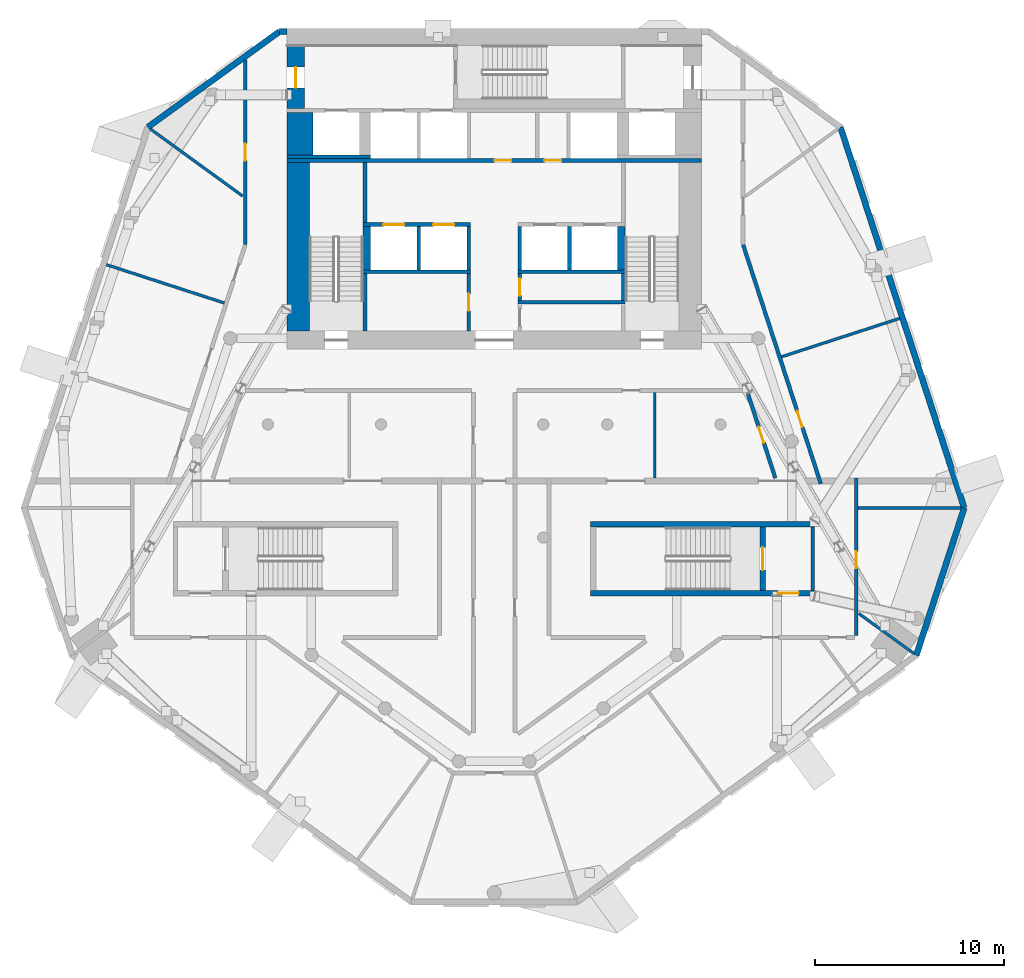
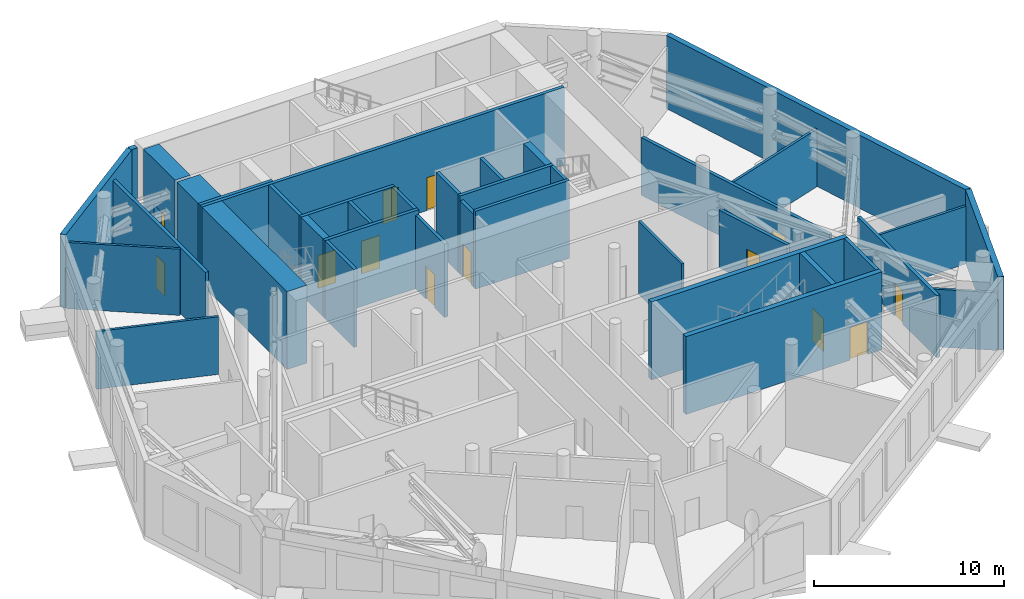
# One storey, part 10 of 17: 38 walls, 13 doors, 13 openings.
"""IFC4 building model written with IfcOpenShell, lengths in metres."""

from ifc_helpers import new_model, si_unit, direction, frame, frame_2d, origin, place, context, subcontext, project, spatial, rectangle, extrude, material, layer, layer_set, type_object, element, fill, save


model = new_model("IFC4")

# Units and contexts
model_context = context("Model", 3, precision=1e-05, world=origin(), true_north=direction((0.0, 1.0)))
body_context = subcontext(model_context, "Body", "Model", "MODEL_VIEW")
ifc_project = project(units=[si_unit("LENGTHUNIT", "METRE"), si_unit("AREAUNIT", "SQUARE_METRE"), si_unit("VOLUMEUNIT", "CUBIC_METRE"), si_unit("PLANEANGLEUNIT", "RADIAN"), si_unit("MASSUNIT", "GRAM", prefix="KILO")], contexts=[model_context])

# Site, building, storey
site_placement = place(None, origin())
site = spatial("IfcSite", under=ifc_project, at=site_placement, CompositionType="ELEMENT")
building_placement = place(site_placement, origin())
building = spatial("IfcBuilding", under=site, at=building_placement, Name="White Candle Pilgrim Tower", CompositionType="ELEMENT")
storey_placement = place(building_placement, frame((0.0, 0.0, 191.5)))
storey = spatial("IfcBuildingStorey", under=building, at=storey_placement, Name="L44", CompositionType="ELEMENT", Elevation=191.5)

# Walls
ifc_material_1 = material(Name="Concrete C60/75", Category="concrete")
ifc_layer_1 = layer(ifc_material_1, 1.39990234375)
ifc_layer_set_1 = layer_set([ifc_layer_1], Name="Core wall 1400 mm Concrete C60/75")
wall_type_1 = type_object("IfcWallType", Name="Core wall 1400 mm Concrete C60/75", PredefinedType="SHEAR", material=ifc_layer_set_1)
wall_1_placement = place(storey_placement, frame((59.699951171875, 81.300048828125, 0.0), z_axis=(0.0, 0.0, 1.0), x_axis=(0.0, 1.0, 0.0)))
element("IfcWall", 1, at=wall_1_placement, inside=storey, type_object=wall_type_1, Name="WL-L44-C40", PredefinedType="SHEAR", context=body_context, shape_type="SweptSolid", body=[
    extrude(rectangle(XDim=2.25, YDim=1.39990234375, at=frame_2d((1.125, 0.0))), origin(), (0.0, 0.0, 1.0), 5.0),
])
ifc_layer_2 = layer(ifc_material_1, 0.199951171875)
ifc_layer_set_2 = layer_set([ifc_layer_2], Name="Core wall 200 mm Concrete C60/75")
wall_type_2 = type_object("IfcWallType", Name="Core wall 200 mm Concrete C60/75", PredefinedType="SHEAR", material=ifc_layer_set_2)
wall_2_placement = place(storey_placement, frame((86.89990234375, 58.199951171875, 0.0), z_axis=(0.0, 0.0, 1.0), x_axis=(0.0, 1.0, 0.0)))
element("IfcWall", 2, at=wall_2_placement, inside=storey, type_object=wall_type_2, Name="WL-L44-C08", PredefinedType="SHEAR", context=body_context, shape_type="SweptSolid", body=[
    extrude(rectangle(XDim=3.35009765625, YDim=0.199951171875, at=frame_2d((1.675048828125, 0.0))), origin(), (0.0, 0.0, 1.0), 5.0),
])
wall_3_placement = place(storey_placement, frame((59.0, 81.199951171875, 0.0), z_axis=(0.0, 0.0, 1.0), x_axis=(1.0, 0.0, 0.0)))
element("IfcWall", 3, at=wall_3_placement, inside=storey, type_object=wall_type_2, Name="WL-L44-C34", PredefinedType="SHEAR", context=body_context, shape_type="SweptSolid", body=[
    extrude(rectangle(XDim=4.449951171875, YDim=0.199951171875, at=frame_2d((2.22509765625, 0.0))), origin(), (0.0, 0.0, 1.0), 5.0),
])

# Wall, opening, door
ifc_layer_3 = layer(ifc_material_1, 0.949951171875)
ifc_layer_set_3 = layer_set([ifc_layer_3], Name="Core wall 950 mm Concrete C60/75")
wall_type_3 = type_object("IfcWallType", Name="Core wall 950 mm Concrete C60/75", PredefinedType="SHEAR", material=ifc_layer_set_3)
wall_4_placement = place(storey_placement, frame((59.47509765625, 83.75, 0.0), z_axis=(0.0, 0.0, 1.0), x_axis=(0.0, 1.0, 0.0)))
wall_4 = element("IfcWall", 4, at=wall_4_placement, inside=storey, type_object=wall_type_3, Name="WL-L44-C45", PredefinedType="SHEAR", context=body_context, shape_type="SweptSolid", body=[
    extrude(rectangle(XDim=3.300048828125, YDim=0.949951171875, at=frame_2d((1.64990234375, 0.0))), origin(), (0.0, 0.0, 1.0), 5.0),
])
opening_1_placement = place(wall_4_placement, frame((1.10009765625, 0.0, 0.0)))
opening_1 = element("IfcOpeningElement", 5, at=opening_1_placement, cuts=wall_4, Name="Opening L44-008", PredefinedType="OPENING", context=body_context, shape_type="SweptSolid", body=[
    extrude(rectangle(XDim=1.10009765625, YDim=2.10009765625, at=frame_2d((0.550048828125, 1.050048828125))), frame((0.0, 0.48486328125, 0.0), z_axis=(0.0, -1.0, 0.0), x_axis=(1.0, 0.0, 0.0)), (0.0, 0.0, 1.0), 0.969970703125),
])
ifc_material_2 = material(Name="Steel door leaf", Category="steel")
door_type_1 = type_object("IfcDoorType", Name="Fire door 1100 x 2100 EI 60", OperationType="NOTDEFINED", PredefinedType="DOOR", material=ifc_material_2)
door_1_placement = place(opening_1_placement, origin())
door_1 = element("IfcDoor", 6, at=door_1_placement, inside=storey, type_object=door_type_1, Name="Door L44-008", OperationType="SINGLE_SWING_RIGHT", OverallHeight=2.10009765625, OverallWidth=1.10009765625, PredefinedType="DOOR", context=body_context, shape_type="SweptSolid", body=[
    extrude(rectangle(XDim=1.10009765625, YDim=2.10009765625, at=frame_2d((0.550048828125, 1.050048828125))), frame((0.0, 0.02490234375, 0.0), z_axis=(0.0, -1.0, 0.0), x_axis=(1.0, 0.0, 0.0)), (0.0, 0.0, 1.0), 0.050048828125),
])
fill(opening_1, door_1)

ifc_material_3 = material(Name="Gypsum board on steel studs", Category="steel")
ifc_layer_4 = layer(ifc_material_3, 0.199951171875)
ifc_layer_set_4 = layer_set([ifc_layer_4], Name="Corridor wall 200 mm EI 45")
wall_type_4 = type_object("IfcWallType", Name="Corridor wall 200 mm EI 45", PredefinedType="PARTITIONING", material=ifc_layer_set_4)
wall_5_placement = place(storey_placement, frame((56.800048828125, 76.552978515625, 0.0), z_axis=(0.0, 0.0, 1.0), x_axis=(0.0, 1.0, 0.0)))
wall_5 = element("IfcWall", 7, at=wall_5_placement, inside=storey, type_object=wall_type_4, Name="WL-L44-P003", PredefinedType="PARTITIONING", context=body_context, shape_type="SweptSolid", body=[
    extrude(rectangle(XDim=9.7705078125, YDim=0.199951171875, at=frame_2d((4.88525390625, 0.0))), origin(), (0.0, 0.0, 1.0), 4.25),
])
opening_2_placement = place(wall_5_placement, frame((4.435302734375, 0.0, 0.0)))
opening_2 = element("IfcOpeningElement", 8, at=opening_2_placement, cuts=wall_5, Name="Opening L44-120", PredefinedType="OPENING", context=body_context, shape_type="SweptSolid", body=[
    extrude(rectangle(XDim=0.89990234375, YDim=2.10009765625, at=frame_2d((0.449951171875, 1.050048828125))), frame((0.0, 0.10986328125, 0.0), z_axis=(0.0, -1.0, 0.0), x_axis=(1.0, 0.0, 0.0)), (0.0, 0.0, 1.0), 0.219970703125),
])
door_type_2 = type_object("IfcDoorType", Name="Fire door 900 x 2100 EI 30", OperationType="NOTDEFINED", PredefinedType="DOOR", material=ifc_material_2)
door_2_placement = place(opening_2_placement, origin())
door_2 = element("IfcDoor", 9, at=door_2_placement, inside=storey, type_object=door_type_2, Name="Door L44-120", OperationType="SINGLE_SWING_RIGHT", OverallHeight=2.10009765625, OverallWidth=0.89990234375, PredefinedType="DOOR", context=body_context, shape_type="SweptSolid", body=[
    extrude(rectangle(XDim=0.89990234375, YDim=2.10009765625, at=frame_2d((0.449951171875, 1.050048828125))), frame((0.0, 0.02490234375, 0.0), z_axis=(0.0, -1.0, 0.0), x_axis=(1.0, 0.0, 0.0)), (0.0, 0.0, 1.0), 0.050048828125),
])
fill(opening_2, door_2)

wall_6_placement = place(storey_placement, frame((83.204833984375, 76.52197265625, 0.0), z_axis=(0.0, 0.0, 1.0), x_axis=(0.309023094896, -0.951054534094, 0.0)))
wall_6 = element("IfcWall", 10, at=wall_6_placement, inside=storey, type_object=wall_type_4, Name="WL-L44-P005", PredefinedType="PARTITIONING", context=body_context, shape_type="SweptSolid", body=[
    extrude(rectangle(XDim=13.323974609375, YDim=0.199951171875, at=frame_2d((6.662109375, 0.0))), origin(), (0.0, 0.0, 1.0), 3.699951171875),
])
opening_3_placement = place(wall_6_placement, frame((9.258056640625, 0.0, 0.0)))
opening_3 = element("IfcOpeningElement", 11, at=opening_3_placement, cuts=wall_6, Name="Opening L44-123", PredefinedType="OPENING", context=body_context, shape_type="SweptSolid", body=[
    extrude(rectangle(XDim=0.89990234375, YDim=2.10009765625, at=frame_2d((0.449951171875, 1.050048828125))), frame((0.0, 0.10986328125, 0.0), z_axis=(0.0, -1.0, 0.0), x_axis=(1.0, 0.0, 0.0)), (0.0, 0.0, 1.0), 0.219970703125),
])
door_3_placement = place(opening_3_placement, origin())
door_3 = element("IfcDoor", 12, at=door_3_placement, inside=storey, type_object=door_type_2, Name="Door L44-123", OperationType="SINGLE_SWING_LEFT", OverallHeight=2.10009765625, OverallWidth=0.89990234375, PredefinedType="DOOR", context=body_context, shape_type="SweptSolid", body=[
    extrude(rectangle(XDim=0.89990234375, YDim=2.10009765625, at=frame_2d((0.449951171875, 1.050048828125))), frame((0.0, 0.02490234375, 0.0), z_axis=(0.0, -1.0, 0.0), x_axis=(1.0, 0.0, 0.0)), (0.0, 0.0, 1.0), 0.050048828125),
])
fill(opening_3, door_3)

wall_7_placement = place(storey_placement, frame((89.199951171875, 64.14990234375, 0.0), z_axis=(0.0, 0.0, 1.0), x_axis=(0.0, -1.0, 0.0)))
wall_7 = element("IfcWall", 13, at=wall_7_placement, inside=storey, type_object=wall_type_4, Name="WL-L44-P006", PredefinedType="PARTITIONING", context=body_context, shape_type="SweptSolid", body=[
    extrude(rectangle(XDim=8.349853515625, YDim=0.199951171875, at=frame_2d((4.1748046875, 0.0))), origin(), (0.0, 0.0, 1.0), 4.0),
])
opening_4_placement = place(wall_7_placement, frame((3.8759765625, 0.0, 0.0)))
opening_4 = element("IfcOpeningElement", 14, at=opening_4_placement, cuts=wall_7, Name="Opening L44-109", PredefinedType="OPENING", context=body_context, shape_type="SweptSolid", body=[
    extrude(rectangle(XDim=0.89990234375, YDim=2.10009765625, at=frame_2d((0.449951171875, 1.050048828125))), frame((0.0, 0.10986328125, 0.0), z_axis=(0.0, -1.0, 0.0), x_axis=(1.0, 0.0, 0.0)), (0.0, 0.0, 1.0), 0.219970703125),
])
door_4_placement = place(opening_4_placement, origin())
door_4 = element("IfcDoor", 15, at=door_4_placement, inside=storey, type_object=door_type_2, Name="Door L44-109", OperationType="SINGLE_SWING_LEFT", OverallHeight=2.10009765625, OverallWidth=0.89990234375, PredefinedType="DOOR", context=body_context, shape_type="SweptSolid", body=[
    extrude(rectangle(XDim=0.89990234375, YDim=2.10009765625, at=frame_2d((0.449951171875, 1.050048828125))), frame((0.0, 0.02490234375, 0.0), z_axis=(0.0, -1.0, 0.0), x_axis=(1.0, 0.0, 0.0)), (0.0, 0.0, 1.0), 0.050048828125),
])
fill(opening_4, door_4)

wall_8_placement = place(storey_placement, frame((84.91162109375, 64.14990234375, 0.0), z_axis=(0.0, 0.0, 1.0), x_axis=(-0.309026476021, 0.951053435469, 0.0)))
wall_8 = element("IfcWall", 16, at=wall_8_placement, inside=storey, type_object=wall_type_4, Name="WL-L44-P013", PredefinedType="PARTITIONING", context=body_context, shape_type="SweptSolid", body=[
    extrude(rectangle(XDim=4.81689453125, YDim=0.199951171875, at=frame_2d((2.408447265625, 0.0))), origin(), (0.0, 0.0, 1.0), 3.699951171875),
])
opening_5_placement = place(wall_8_placement, frame((1.958251953125, 0.0, 0.0)))
opening_5 = element("IfcOpeningElement", 17, at=opening_5_placement, cuts=wall_8, Name="Opening L44-124", PredefinedType="OPENING", context=body_context, shape_type="SweptSolid", body=[
    extrude(rectangle(XDim=0.89990234375, YDim=2.10009765625, at=frame_2d((0.449951171875, 1.050048828125))), frame((0.0, 0.10986328125, 0.0), z_axis=(0.0, -1.0, 0.0), x_axis=(1.0, 0.0, 0.0)), (0.0, 0.0, 1.0), 0.219970703125),
])
door_5_placement = place(opening_5_placement, origin())
door_5 = element("IfcDoor", 18, at=door_5_placement, inside=storey, type_object=door_type_2, Name="Door L44-124", OperationType="SINGLE_SWING_RIGHT", OverallHeight=2.10009765625, OverallWidth=0.89990234375, PredefinedType="DOOR", context=body_context, shape_type="SweptSolid", body=[
    extrude(rectangle(XDim=0.89990234375, YDim=2.10009765625, at=frame_2d((0.449951171875, 1.050048828125))), frame((0.0, 0.02490234375, 0.0), z_axis=(0.0, -1.0, 0.0), x_axis=(1.0, 0.0, 0.0)), (0.0, 0.0, 1.0), 0.050048828125),
])
fill(opening_5, door_5)

# Walls
ifc_material_4 = material(Name="Precast concrete C40/50", Category="concrete")
ifc_layer_5 = layer(ifc_material_4, 0.320068359375)
ifc_layer_set_5 = layer_set([ifc_layer_5], Name="Facade wall EW2 precast concrete C40/50 plant wall behind louvres")
wall_type_5 = type_object("IfcWallType", Name="Facade wall EW2 precast concrete C40/50 plant wall behind louvres", PredefinedType="SOLIDWALL", material=ifc_layer_set_5)
wall_9_placement = place(storey_placement, frame((92.388427734375, 54.7568359375, 0.0), z_axis=(0.0, 0.0, 1.0), x_axis=(0.30901958848, 0.951055673415, 0.0)))
element("IfcWall", 19, at=wall_9_placement, inside=storey, type_object=wall_type_5, Name="Facade wall L44 E chamfer", PredefinedType="SOLIDWALL", context=body_context, shape_type="SweptSolid", body=[
    extrude(rectangle(XDim=8.220458984375, YDim=0.320068359375, at=frame_2d((4.1103515625, 0.0))), origin(), (0.0, 0.0, 1.0), 4.699951171875),
])
wall_10_placement = place(storey_placement, frame((94.9287109375, 62.574951171875, 0.0), z_axis=(0.0, 0.0, 1.0), x_axis=(-0.309022366866, 0.95105477065, 0.0)))
element("IfcWall", 20, at=wall_10_placement, inside=storey, type_object=wall_type_5, Name="Facade wall L44 ENE", PredefinedType="SOLIDWALL", context=body_context, shape_type="SweptSolid", body=[
    extrude(rectangle(XDim=21.230712890625, YDim=0.320068359375, at=frame_2d((10.615234375, 0.0))), origin(), (0.0, 0.0, 1.0), 4.699951171875),
])
wall_11_placement = place(storey_placement, frame((59.0, 87.840087890625, 0.0), z_axis=(0.0, 0.0, 1.0), x_axis=(-1.0, 0.0, 0.0)))
element("IfcWall", 21, at=wall_11_placement, inside=storey, type_object=wall_type_5, Name="Facade wall L44 N", PredefinedType="SOLIDWALL", context=body_context, shape_type="SweptSolid", body=[
    extrude(rectangle(XDim=0.385009765625, YDim=0.320068359375, at=frame_2d((0.1923828125, 0.0))), origin(), (0.0, 0.0, 1.0), 4.699951171875),
])
wall_12_placement = place(storey_placement, frame((58.614990234375, 87.840087890625, 0.0), z_axis=(0.0, 0.0, 1.0), x_axis=(-0.809011202415, -0.587793224159, 0.0)))
element("IfcWall", 22, at=wall_12_placement, inside=storey, type_object=wall_type_5, Name="Facade wall L44 NW chamfer", PredefinedType="SOLIDWALL", context=body_context, shape_type="SweptSolid", body=[
    extrude(rectangle(XDim=8.63134765625, YDim=0.320068359375, at=frame_2d((4.315673828125, 0.0))), origin(), (0.0, 0.0, 1.0), 4.699951171875),
])

# Wall, opening, door
ifc_layer_6 = layer(ifc_material_3, 0.199951171875)
ifc_layer_set_6 = layer_set([ifc_layer_6], Name="Lobby wall 200 mm EI 60")
wall_type_6 = type_object("IfcWallType", Name="Lobby wall 200 mm EI 60", PredefinedType="PARTITIONING", material=ifc_layer_set_6)
wall_13_placement = place(storey_placement, frame((68.64990234375, 71.949951171875, 0.0), z_axis=(0.0, 0.0, 1.0), x_axis=(0.0, 1.0, 0.0)))
wall_13 = element("IfcWall", 23, at=wall_13_placement, inside=storey, type_object=wall_type_6, Name="WL-L44-C14", PredefinedType="PARTITIONING", context=body_context, shape_type="SweptSolid", body=[
    extrude(rectangle(XDim=3.050048828125, YDim=0.199951171875, at=frame_2d((1.52490234375, 0.0))), origin(), (0.0, 0.0, 1.0), 4.699951171875),
])
opening_6_placement = place(wall_13_placement, frame((1.074951171875, 0.0, 0.0)))
opening_6 = element("IfcOpeningElement", 24, at=opening_6_placement, cuts=wall_13, Name="Opening L44-005", PredefinedType="OPENING", context=body_context, shape_type="SweptSolid", body=[
    extrude(rectangle(XDim=0.89990234375, YDim=2.10009765625, at=frame_2d((0.449951171875, 1.050048828125))), frame((0.0, 0.10986328125, 0.0), z_axis=(0.0, -1.0, 0.0), x_axis=(1.0, 0.0, 0.0)), (0.0, 0.0, 1.0), 0.219970703125),
])
door_6_placement = place(opening_6_placement, origin())
door_6 = element("IfcDoor", 25, at=door_6_placement, inside=storey, type_object=door_type_2, Name="Door L44-005", OperationType="SINGLE_SWING_LEFT", OverallHeight=2.10009765625, OverallWidth=0.89990234375, PredefinedType="DOOR", context=body_context, shape_type="SweptSolid", body=[
    extrude(rectangle(XDim=0.89990234375, YDim=2.10009765625, at=frame_2d((0.449951171875, 1.050048828125))), frame((0.0, 0.02490234375, 0.0), z_axis=(0.0, -1.0, 0.0), x_axis=(1.0, 0.0, 0.0)), (0.0, 0.0, 1.0), 0.050048828125),
])
fill(opening_6, door_6)

wall_14_placement = place(storey_placement, frame((71.35009765625, 73.574951171875, 0.0), z_axis=(0.0, 0.0, 1.0), x_axis=(0.0, 1.0, 0.0)))
wall_14 = element("IfcWall", 26, at=wall_14_placement, inside=storey, type_object=wall_type_6, Name="WL-L44-C19", PredefinedType="PARTITIONING", context=body_context, shape_type="SweptSolid", body=[
    extrude(rectangle(XDim=1.425048828125, YDim=0.199951171875, at=frame_2d((0.71240234375, 0.0))), origin(), (0.0, 0.0, 1.0), 4.699951171875),
])
opening_7_placement = place(wall_14_placement, frame((0.262451171875, 0.0, 0.0)))
opening_7 = element("IfcOpeningElement", 27, at=opening_7_placement, cuts=wall_14, Name="Opening L44-007", PredefinedType="OPENING", context=body_context, shape_type="SweptSolid", body=[
    extrude(rectangle(XDim=0.89990234375, YDim=2.10009765625, at=frame_2d((0.449951171875, 1.050048828125))), frame((0.0, 0.10986328125, 0.0), z_axis=(0.0, -1.0, 0.0), x_axis=(1.0, 0.0, 0.0)), (0.0, 0.0, 1.0), 0.219970703125),
])
door_7_placement = place(opening_7_placement, origin())
door_7 = element("IfcDoor", 28, at=door_7_placement, inside=storey, type_object=door_type_2, Name="Door L44-007", OperationType="SINGLE_SWING_LEFT", OverallHeight=2.10009765625, OverallWidth=0.89990234375, PredefinedType="DOOR", context=body_context, shape_type="SweptSolid", body=[
    extrude(rectangle(XDim=0.89990234375, YDim=2.10009765625, at=frame_2d((0.449951171875, 1.050048828125))), frame((0.0, 0.02490234375, 0.0), z_axis=(0.0, -1.0, 0.0), x_axis=(1.0, 0.0, 0.0)), (0.0, 0.0, 1.0), 0.050048828125),
])
fill(opening_7, door_7)

# Walls
ifc_layer_7 = layer(ifc_material_3, 0.14990234375)
ifc_layer_set_7 = layer_set([ifc_layer_7], Name="Partition 150 mm EI 60")
wall_type_7 = type_object("IfcWallType", Name="Partition 150 mm EI 60", PredefinedType="PARTITIONING", material=ifc_layer_set_7)
wall_15_placement = place(storey_placement, frame((51.768310546875, 82.667724609375, 0.0), z_axis=(0.0, 0.0, 1.0), x_axis=(0.809024323682, -0.587775164234, 0.0)))
element("IfcWall", 29, at=wall_15_placement, inside=storey, type_object=wall_type_7, Name="WL-L44-P027", PredefinedType="PARTITIONING", context=body_context, shape_type="SweptSolid", body=[
    extrude(rectangle(XDim=6.04150390625, YDim=0.14990234375, at=frame_2d((3.020751953125, 0.0))), origin(), (0.0, 0.0, 1.0), 4.25),
])
wall_16_placement = place(storey_placement, frame((92.252197265625, 54.855712890625, 0.0), z_axis=(0.0, 0.0, 1.0), x_axis=(-0.809035551496, 0.587759709759, 0.0)))
element("IfcWall", 30, at=wall_16_placement, inside=storey, type_object=wall_type_7, Name="WL-L44-P032", PredefinedType="PARTITIONING", context=body_context, shape_type="SweptSolid", body=[
    extrude(rectangle(XDim=3.5947265625, YDim=0.14990234375, at=frame_2d((1.79736328125, 0.0))), origin(), (0.0, 0.0, 1.0), 3.699951171875),
])
wall_17_placement = place(storey_placement, frame((94.760498046875, 62.57470703125, 0.0), z_axis=(0.0, 0.0, 1.0), x_axis=(-1.0, 0.0, 0.0)))
element("IfcWall", 31, at=wall_17_placement, inside=storey, type_object=wall_type_7, Name="WL-L44-P033", PredefinedType="PARTITIONING", context=body_context, shape_type="SweptSolid", body=[
    extrude(rectangle(XDim=5.46044921875, YDim=0.14990234375, at=frame_2d((2.730224609375, 0.0))), origin(), (0.0, 0.0, 1.0), 3.699951171875),
])
for number, where, z_axis, x_axis, name in (
    (32, (49.430908203125, 75.474609375, 0.0), (0.0, 0.0, 1.0), (0.95105288048, -0.309028184041, 0.0), "WL-L44-P035"),
    (33, (91.49609375, 72.621337890625, 0.0), (0.0, 0.0, 1.0), (-0.95105288048, -0.309028184041, 0.0), "WL-L44-P041"),
):
    element("IfcWall", number, at=place(storey_placement, frame(where, z_axis=z_axis, x_axis=x_axis)), inside=storey, type_object=wall_type_7, Name=name, PredefinedType="PARTITIONING", context=body_context, shape_type="SweptSolid", body=[
        extrude(rectangle(XDim=6.580078125, YDim=0.14990234375, at=frame_2d((3.2900390625, 0.0))), origin(), (0.0, 0.0, 1.0), 3.699951171875),
    ])
wall_18_placement = place(storey_placement, frame((78.512939453125, 64.14990234375, 0.0), z_axis=(0.0, 0.0, 1.0), x_axis=(0.0, 1.0, 0.0)))
element("IfcWall", 34, at=wall_18_placement, inside=storey, type_object=wall_type_7, Name="WL-L44-P043", PredefinedType="PARTITIONING", context=body_context, shape_type="SweptSolid", body=[
    extrude(rectangle(XDim=4.550048828125, YDim=0.14990234375, at=frame_2d((2.27490234375, 0.0))), origin(), (0.0, 0.0, 1.0), 4.699951171875),
])
ifc_layer_8 = layer(ifc_material_1, 0.199951171875)
ifc_layer_set_8 = layer_set([ifc_layer_8], Name="Shaft wall 200 mm Concrete C60/75")
wall_type_8 = type_object("IfcWallType", Name="Shaft wall 200 mm Concrete C60/75", PredefinedType="SHEAR", material=ifc_layer_set_8)
for number, where, z_axis, x_axis, name in (
    (35, (66.0, 75.199951171875, 0.0), (0.0, 0.0, 1.0), (0.0, 1.0, 0.0), "WL-L44-C24"),
    (36, (68.64990234375, 75.199951171875, 0.0), (0.0, 0.0, 1.0), (0.0, 1.0, 0.0), "WL-L44-C25"),
    (37, (71.35009765625, 75.199951171875, 0.0), (0.0, 0.0, 1.0), (0.0, 1.0, 0.0), "WL-L44-C26"),
    (38, (74.0, 75.199951171875, 0.0), (0.0, 0.0, 1.0), (0.0, 1.0, 0.0), "WL-L44-C27"),
):
    element("IfcWall", number, at=place(storey_placement, frame(where, z_axis=z_axis, x_axis=x_axis)), inside=storey, type_object=wall_type_8, Name=name, PredefinedType="SHEAR", context=body_context, shape_type="SweptSolid", body=[
        extrude(rectangle(XDim=2.300048828125, YDim=0.199951171875, at=frame_2d((1.14990234375, 0.0))), origin(), (0.0, 0.0, 1.0), 5.0),
    ])
ifc_layer_9 = layer(ifc_material_1, 1.199951171875)
ifc_layer_set_9 = layer_set([ifc_layer_9], Name="Stair shaft wall 1200 mm Concrete C60/75")
wall_type_9 = type_object("IfcWallType", Name="Stair shaft wall 1200 mm Concrete C60/75", PredefinedType="SHEAR", material=ifc_layer_set_9)
wall_19_placement = place(storey_placement, frame((59.60009765625, 71.949951171875, 0.0), z_axis=(0.0, 0.0, 1.0), x_axis=(0.0, 1.0, 0.0)))
element("IfcWall", 39, at=wall_19_placement, inside=storey, type_object=wall_type_9, Name="WL-L44-C12", PredefinedType="SHEAR", context=body_context, shape_type="SweptSolid", body=[
    extrude(rectangle(XDim=8.949951171875, YDim=1.199951171875, at=frame_2d((4.47509765625, 0.0))), origin(), (0.0, 0.0, 1.0), 5.0),
])
ifc_layer_10 = layer(ifc_material_1, 0.199951171875)
ifc_layer_set_10 = layer_set([ifc_layer_10], Name="Stair shaft wall 200 mm Concrete C60/75")
wall_type_10 = type_object("IfcWallType", Name="Stair shaft wall 200 mm Concrete C60/75", PredefinedType="SHEAR", material=ifc_layer_set_10)
wall_20_placement = place(storey_placement, frame((63.14990234375, 71.949951171875, 0.0), z_axis=(0.0, 0.0, 1.0), x_axis=(0.0, 1.0, 0.0)))
element("IfcWall", 40, at=wall_20_placement, inside=storey, type_object=wall_type_10, Name="WL-L44-C13", PredefinedType="SHEAR", context=body_context, shape_type="SweptSolid", body=[
    extrude(rectangle(XDim=3.050048828125, YDim=0.199951171875, at=frame_2d((1.52490234375, 0.0))), origin(), (0.0, 0.0, 1.0), 5.0),
])
wall_21_placement = place(storey_placement, frame((71.25, 73.47509765625, 0.0), z_axis=(0.0, 0.0, 1.0), x_axis=(1.0, 0.0, 0.0)))
element("IfcWall", 41, at=wall_21_placement, inside=storey, type_object=wall_type_10, Name="WL-L44-C18", PredefinedType="SHEAR", context=body_context, shape_type="SweptSolid", body=[
    extrude(rectangle(XDim=5.699951171875, YDim=0.199951171875, at=frame_2d((2.85009765625, 0.0))), origin(), (0.0, 0.0, 1.0), 5.0),
])
wall_22_placement = place(storey_placement, frame((76.85009765625, 73.574951171875, 0.0), z_axis=(0.0, 0.0, 1.0), x_axis=(0.0, 1.0, 0.0)))
element("IfcWall", 42, at=wall_22_placement, inside=storey, type_object=wall_type_10, Name="WL-L44-C20", PredefinedType="SHEAR", context=body_context, shape_type="SweptSolid", body=[
    extrude(rectangle(XDim=1.425048828125, YDim=0.199951171875, at=frame_2d((0.71240234375, 0.0))), origin(), (0.0, 0.0, 1.0), 5.0),
])
for number, where, z_axis, x_axis, name in (
    (43, (63.050048828125, 75.10009765625, 0.0), (0.0, 0.0, 1.0), (1.0, 0.0, 0.0), "WL-L44-C21"),
    (44, (71.25, 75.10009765625, 0.0), (0.0, 0.0, 1.0), (1.0, 0.0, 0.0), "WL-L44-C22"),
):
    element("IfcWall", number, at=place(storey_placement, frame(where, z_axis=z_axis, x_axis=x_axis)), inside=storey, type_object=wall_type_10, Name=name, PredefinedType="SHEAR", context=body_context, shape_type="SweptSolid", body=[
        extrude(rectangle(XDim=5.699951171875, YDim=0.199951171875, at=frame_2d((2.85009765625, 0.0))), origin(), (0.0, 0.0, 1.0), 5.0),
    ])

# Wall, openings, doors
wall_23_placement = place(storey_placement, frame((63.050048828125, 77.60009765625, 0.0), z_axis=(0.0, 0.0, 1.0), x_axis=(1.0, 0.0, 0.0)))
wall_23 = element("IfcWall", 45, at=wall_23_placement, inside=storey, type_object=wall_type_10, Name="WL-L44-C29", PredefinedType="SHEAR", context=body_context, shape_type="SweptSolid", body=[
    extrude(rectangle(XDim=5.699951171875, YDim=0.199951171875, at=frame_2d((2.85009765625, 0.0))), origin(), (0.0, 0.0, 1.0), 5.0),
])
opening_8_placement = place(wall_23_placement, frame((1.074951171875, 0.0, 0.0)))
opening_8 = element("IfcOpeningElement", 46, at=opening_8_placement, cuts=wall_23, Name="Opening L44-014", PredefinedType="OPENING", context=body_context, shape_type="SweptSolid", body=[
    extrude(rectangle(XDim=1.10009765625, YDim=2.10009765625, at=frame_2d((0.550048828125, 1.050048828125))), frame((0.0, 0.10986328125, 0.0), z_axis=(0.0, -1.0, 0.0), x_axis=(1.0, 0.0, 0.0)), (0.0, 0.0, 1.0), 0.219970703125),
])
opening_9_placement = place(wall_23_placement, frame((3.72509765625, 0.0, 0.0)))
opening_9 = element("IfcOpeningElement", 47, at=opening_9_placement, cuts=wall_23, Name="Opening L44-015", PredefinedType="OPENING", context=body_context, shape_type="SweptSolid", body=[
    extrude(rectangle(XDim=1.10009765625, YDim=2.10009765625, at=frame_2d((0.550048828125, 1.050048828125))), frame((0.0, 0.10986328125, 0.0), z_axis=(0.0, -1.0, 0.0), x_axis=(1.0, 0.0, 0.0)), (0.0, 0.0, 1.0), 0.219970703125),
])
ifc_material_5 = material(Name="Stainless steel", Category="steel")
door_type_3 = type_object("IfcDoorType", Name="Lift landing door 1100 x 2100 E 60", OperationType="DOUBLE_DOOR_SLIDING", PredefinedType="DOOR", material=ifc_material_5)
door_8_placement = place(opening_8_placement, origin())
door_8 = element("IfcDoor", 48, at=door_8_placement, inside=storey, type_object=door_type_3, Name="Door L44-014", OperationType="DOUBLE_DOOR_SLIDING", OverallHeight=2.10009765625, OverallWidth=1.10009765625, PredefinedType="DOOR", context=body_context, shape_type="SweptSolid", body=[
    extrude(rectangle(XDim=1.10009765625, YDim=2.10009765625, at=frame_2d((0.550048828125, 1.050048828125))), frame((0.0, 0.02490234375, 0.0), z_axis=(0.0, -1.0, 0.0), x_axis=(1.0, 0.0, 0.0)), (0.0, 0.0, 1.0), 0.050048828125),
])
fill(opening_8, door_8)
door_9_placement = place(opening_9_placement, origin())
door_9 = element("IfcDoor", 49, at=door_9_placement, inside=storey, type_object=door_type_3, Name="Door L44-015", OperationType="DOUBLE_DOOR_SLIDING", OverallHeight=2.10009765625, OverallWidth=1.10009765625, PredefinedType="DOOR", context=body_context, shape_type="SweptSolid", body=[
    extrude(rectangle(XDim=1.10009765625, YDim=2.10009765625, at=frame_2d((0.550048828125, 1.050048828125))), frame((0.0, 0.02490234375, 0.0), z_axis=(0.0, -1.0, 0.0), x_axis=(1.0, 0.0, 0.0)), (0.0, 0.0, 1.0), 0.050048828125),
])
fill(opening_9, door_9)

# Wall
wall_24_placement = place(storey_placement, frame((63.14990234375, 77.699951171875, 0.0), z_axis=(0.0, 0.0, 1.0), x_axis=(0.0, 1.0, 0.0)))
element("IfcWall", 50, at=wall_24_placement, inside=storey, type_object=wall_type_10, Name="WL-L44-C31", PredefinedType="SHEAR", context=body_context, shape_type="SweptSolid", body=[
    extrude(rectangle(XDim=3.199951171875, YDim=0.199951171875, at=frame_2d((1.60009765625, 0.0))), origin(), (0.0, 0.0, 1.0), 5.0),
])

# Wall, openings, doors
wall_25_placement = place(storey_placement, frame((59.0, 81.0, 0.0), z_axis=(0.0, 0.0, 1.0), x_axis=(1.0, 0.0, 0.0)))
wall_25 = element("IfcWall", 51, at=wall_25_placement, inside=storey, type_object=wall_type_10, Name="WL-L44-C33", PredefinedType="SHEAR", context=body_context, shape_type="SweptSolid", body=[
    extrude(rectangle(XDim=22.0, YDim=0.199951171875, at=frame_2d((11.0, 0.0))), origin(), (0.0, 0.0, 1.0), 5.0),
])
opening_10_placement = place(wall_25_placement, frame((11.014892578125, 0.0, 0.0)))
opening_10 = element("IfcOpeningElement", 52, at=opening_10_placement, cuts=wall_25, Name="Opening L44-022", PredefinedType="OPENING", context=body_context, shape_type="SweptSolid", body=[
    extrude(rectangle(XDim=0.89990234375, YDim=2.10009765625, at=frame_2d((0.449951171875, 1.050048828125))), frame((0.0, 0.10986328125, 0.0), z_axis=(0.0, -1.0, 0.0), x_axis=(1.0, 0.0, 0.0)), (0.0, 0.0, 1.0), 0.219970703125),
])
opening_11_placement = place(wall_25_placement, frame((13.6650390625, 0.0, 0.0)))
opening_11 = element("IfcOpeningElement", 53, at=opening_11_placement, cuts=wall_25, Name="Opening L44-023", PredefinedType="OPENING", context=body_context, shape_type="SweptSolid", body=[
    extrude(rectangle(XDim=0.89990234375, YDim=2.10009765625, at=frame_2d((0.449951171875, 1.050048828125))), frame((0.0, 0.10986328125, 0.0), z_axis=(0.0, -1.0, 0.0), x_axis=(1.0, 0.0, 0.0)), (0.0, 0.0, 1.0), 0.219970703125),
])
door_10_placement = place(opening_10_placement, origin())
door_10 = element("IfcDoor", 54, at=door_10_placement, inside=storey, type_object=door_type_2, Name="Door L44-022", OperationType="SINGLE_SWING_RIGHT", OverallHeight=2.10009765625, OverallWidth=0.89990234375, PredefinedType="DOOR", context=body_context, shape_type="SweptSolid", body=[
    extrude(rectangle(XDim=0.89990234375, YDim=2.10009765625, at=frame_2d((0.449951171875, 1.050048828125))), frame((0.0, 0.02490234375, 0.0), z_axis=(0.0, -1.0, 0.0), x_axis=(1.0, 0.0, 0.0)), (0.0, 0.0, 1.0), 0.050048828125),
])
fill(opening_10, door_10)
door_11_placement = place(opening_11_placement, origin())
door_11 = element("IfcDoor", 55, at=door_11_placement, inside=storey, type_object=door_type_2, Name="Door L44-023", OperationType="SINGLE_SWING_LEFT", OverallHeight=2.10009765625, OverallWidth=0.89990234375, PredefinedType="DOOR", context=body_context, shape_type="SweptSolid", body=[
    extrude(rectangle(XDim=0.89990234375, YDim=2.10009765625, at=frame_2d((0.449951171875, 1.050048828125))), frame((0.0, 0.02490234375, 0.0), z_axis=(0.0, -1.0, 0.0), x_axis=(1.0, 0.0, 0.0)), (0.0, 0.0, 1.0), 0.050048828125),
])
fill(opening_11, door_11)

# Wall, opening, door
ifc_layer_11 = layer(ifc_material_1, 0.300048828125)
ifc_layer_set_11 = layer_set([ifc_layer_11], Name="Stair shaft wall 300 mm Concrete C60/75")
wall_type_11 = type_object("IfcWallType", Name="Stair shaft wall 300 mm Concrete C60/75", PredefinedType="SHEAR", material=ifc_layer_set_11)
wall_26_placement = place(storey_placement, frame((75.10009765625, 58.050048828125, 0.0), z_axis=(0.0, 0.0, 1.0), x_axis=(1.0, 0.0, 0.0)))
wall_26 = element("IfcWall", 56, at=wall_26_placement, inside=storey, type_object=wall_type_11, Name="WL-L44-C02", PredefinedType="SHEAR", context=body_context, shape_type="SweptSolid", body=[
    extrude(rectangle(XDim=11.89990234375, YDim=0.300048828125, at=frame_2d((5.949951171875, 0.0))), origin(), (0.0, 0.0, 1.0), 5.0),
])
opening_12_placement = place(wall_26_placement, frame((9.949951171875, 0.0, 0.0)))
opening_12 = element("IfcOpeningElement", 57, at=opening_12_placement, cuts=wall_26, Name="Opening L44-012", PredefinedType="OPENING", context=body_context, shape_type="SweptSolid", body=[
    extrude(rectangle(XDim=1.10009765625, YDim=2.10009765625, at=frame_2d((0.550048828125, 1.050048828125))), frame((0.0, 0.159912109375, 0.0), z_axis=(0.0, -1.0, 0.0), x_axis=(1.0, 0.0, 0.0)), (0.0, 0.0, 1.0), 0.320068359375),
])
door_12_placement = place(opening_12_placement, origin())
door_12 = element("IfcDoor", 58, at=door_12_placement, inside=storey, type_object=door_type_1, Name="Door L44-012", OperationType="SINGLE_SWING_RIGHT", OverallHeight=2.10009765625, OverallWidth=1.10009765625, PredefinedType="DOOR", context=body_context, shape_type="SweptSolid", body=[
    extrude(rectangle(XDim=1.10009765625, YDim=2.10009765625, at=frame_2d((0.550048828125, 1.050048828125))), frame((0.0, 0.02490234375, 0.0), z_axis=(0.0, -1.0, 0.0), x_axis=(1.0, 0.0, 0.0)), (0.0, 0.0, 1.0), 0.050048828125),
])
fill(opening_12, door_12)

wall_27_placement = place(storey_placement, frame((84.25, 58.199951171875, 0.0), z_axis=(0.0, 0.0, 1.0), x_axis=(0.0, 1.0, 0.0)))
wall_27 = element("IfcWall", 59, at=wall_27_placement, inside=storey, type_object=wall_type_11, Name="WL-L44-C07", PredefinedType="SHEAR", context=body_context, shape_type="SweptSolid", body=[
    extrude(rectangle(XDim=3.35009765625, YDim=0.300048828125, at=frame_2d((1.675048828125, 0.0))), origin(), (0.0, 0.0, 1.0), 5.0),
])
opening_13_placement = place(wall_27_placement, frame((1.074951171875, 0.0, 0.0)))
opening_13 = element("IfcOpeningElement", 60, at=opening_13_placement, cuts=wall_27, Name="Opening L44-013", PredefinedType="OPENING", context=body_context, shape_type="SweptSolid", body=[
    extrude(rectangle(XDim=1.199951171875, YDim=2.10009765625, at=frame_2d((0.60009765625, 1.050048828125))), frame((0.0, 0.159912109375, 0.0), z_axis=(0.0, -1.0, 0.0), x_axis=(1.0, 0.0, 0.0)), (0.0, 0.0, 1.0), 0.320068359375),
])
door_type_4 = type_object("IfcDoorType", Name="Fire door 1200 x 2100 EI 60", OperationType="NOTDEFINED", PredefinedType="DOOR", material=ifc_material_2)
door_13_placement = place(opening_13_placement, origin())
door_13 = element("IfcDoor", 61, at=door_13_placement, inside=storey, type_object=door_type_4, Name="Door L44-013", OperationType="SINGLE_SWING_LEFT", OverallHeight=2.10009765625, OverallWidth=1.199951171875, PredefinedType="DOOR", context=body_context, shape_type="SweptSolid", body=[
    extrude(rectangle(XDim=1.199951171875, YDim=2.10009765625, at=frame_2d((0.60009765625, 1.050048828125))), frame((0.0, 0.02490234375, 0.0), z_axis=(0.0, -1.0, 0.0), x_axis=(1.0, 0.0, 0.0)), (0.0, 0.0, 1.0), 0.050048828125),
])
fill(opening_13, door_13)

# Walls
wall_28_placement = place(storey_placement, frame((75.10009765625, 61.699951171875, 0.0), z_axis=(0.0, 0.0, 1.0), x_axis=(1.0, 0.0, 0.0)))
element("IfcWall", 62, at=wall_28_placement, inside=storey, type_object=wall_type_11, Name="WL-L44-C10", PredefinedType="SHEAR", context=body_context, shape_type="SweptSolid", body=[
    extrude(rectangle(XDim=11.89990234375, YDim=0.300048828125, at=frame_2d((5.949951171875, 0.0))), origin(), (0.0, 0.0, 1.0), 5.0),
])
ifc_layer_12 = layer(ifc_material_1, 0.39990234375)
ifc_layer_set_12 = layer_set([ifc_layer_12], Name="Stair shaft wall 400 mm Concrete C60/75")
wall_type_12 = type_object("IfcWallType", Name="Stair shaft wall 400 mm Concrete C60/75", PredefinedType="SHEAR", material=ifc_layer_set_12)
for number, where, z_axis, x_axis, name in (
    (63, (63.25, 75.199951171875, 0.0), (0.0, 0.0, 1.0), (0.0, 1.0, 0.0), "WL-L44-C23"),
    (64, (76.75, 75.199951171875, 0.0), (0.0, 0.0, 1.0), (0.0, 1.0, 0.0), "WL-L44-C28"),
):
    element("IfcWall", number, at=place(storey_placement, frame(where, z_axis=z_axis, x_axis=x_axis)), inside=storey, type_object=wall_type_12, Name=name, PredefinedType="SHEAR", context=body_context, shape_type="SweptSolid", body=[
        extrude(rectangle(XDim=2.300048828125, YDim=0.39990234375, at=frame_2d((1.14990234375, 0.0))), origin(), (0.0, 0.0, 1.0), 5.0),
    ])

save(model, "model.ifc")
